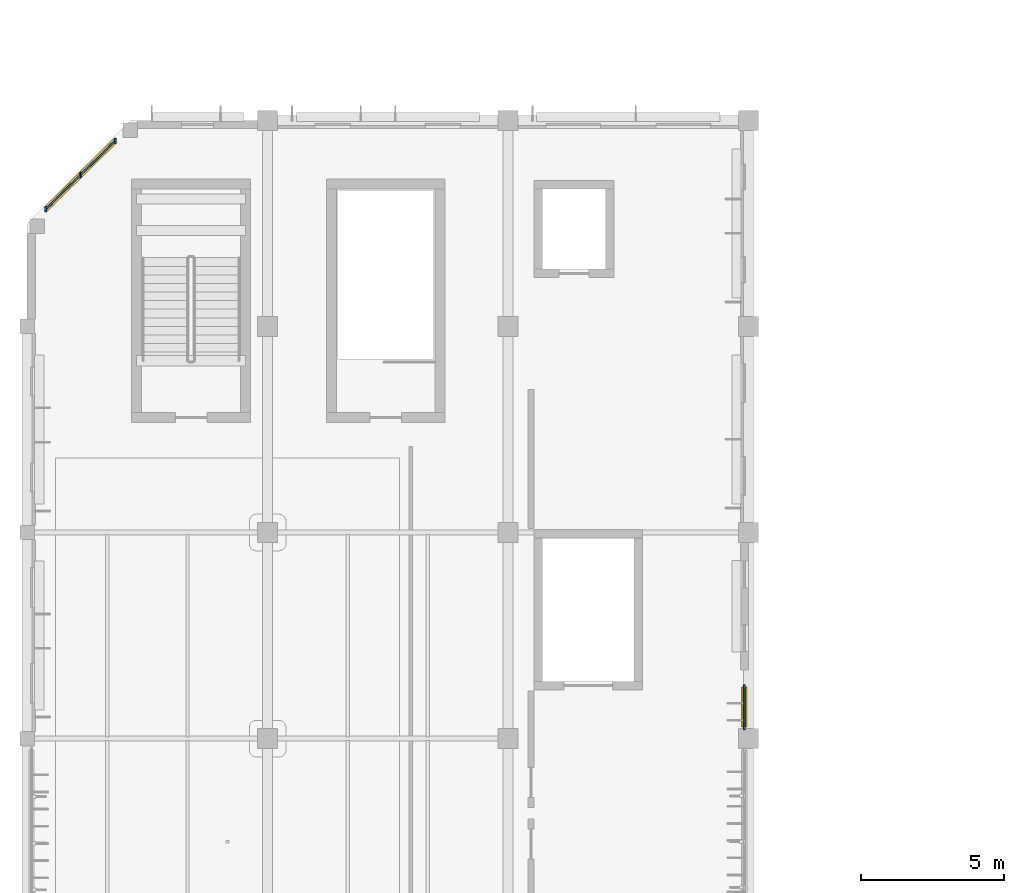
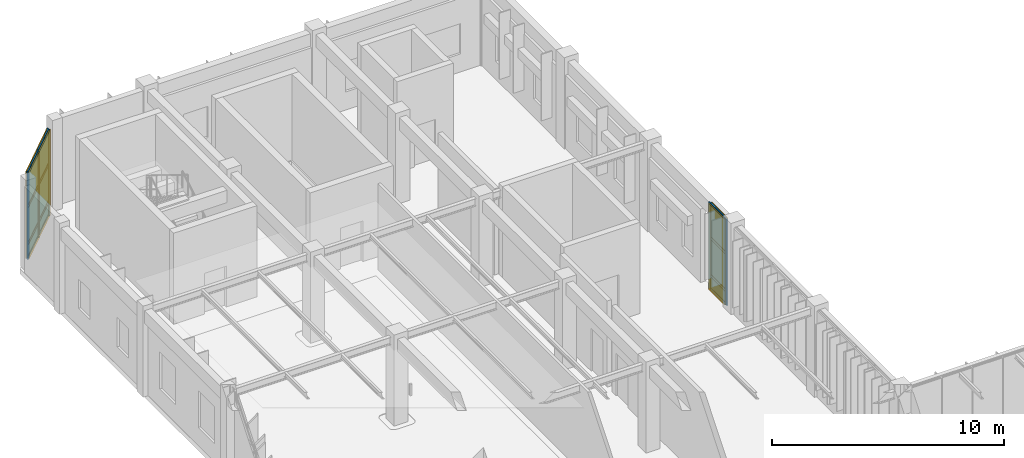
# One storey, part 94 of 122: 17 members, 9 plates, 2 curtain walls.
"""IFC4 building model written with IfcOpenShell, lengths in metres."""

from ifc_helpers import new_model, si_unit, direction, frame, frame_2d, origin, origin_2d, place, context, subcontext, project, spatial, rectangle, extrude, material, layer, layer_set, material_profile, profile_set, type_object, element, aggregate, save


model = new_model("IFC4")

# Units and contexts
model_context = context("Model", 3, precision=1e-05, world=origin(), true_north=direction((0.0, 1.0)))
body_context = subcontext(model_context, "Body", "Model", "MODEL_VIEW")
ifc_project = project(units=[si_unit("LENGTHUNIT", "METRE"), si_unit("AREAUNIT", "SQUARE_METRE"), si_unit("VOLUMEUNIT", "CUBIC_METRE"), si_unit("PLANEANGLEUNIT", "RADIAN"), si_unit("MASSUNIT", "GRAM", prefix="KILO")], contexts=[model_context])

# Member
ifc_material_1 = material(Name="Anodised Bronze Aluminium 6063-T6", Category="aluminium")
ifc_material_profile_1 = material_profile(ifc_material_1, rectangle(XDim=0.06005859375, YDim=0.179931640625, at=origin_2d()), Name="ALU MULLION 60x180")
ifc_profile_set_1 = profile_set([ifc_material_profile_1], Name="Anodised Bronze Aluminium 6063-T6")
member_type_1 = type_object("IfcMemberType", Name="Curtain-Wall Primary Mullion 60x180", PredefinedType="MULLION", material=ifc_profile_set_1)
site_placement = place(None, origin())
building_placement = place(site_placement, origin())
storey_placement = place(building_placement, origin())
member_1_placement = place(storey_placement, frame((5.474365234375, 87.080810546875, 0.0), z_axis=(0.0, 0.0, 1.0), x_axis=(1.0, 0.0, 0.0)))
member_1 = element("IfcMember", 1, at=member_1_placement, type_object=member_type_1, Name="Mullion CWM-01 CW-V6-NWCH-L00-M01", PredefinedType="MULLION", context=body_context, shape_type="SweptSolid", body=[
    extrude(rectangle(XDim=0.06005859375, YDim=0.179931640625, at=origin_2d()), origin(), (0.0, 0.0, 1.0), 4.5400390625),
])

member_2_placement = place(storey_placement, frame((4.26318359375, 85.888671875, 0.0), z_axis=(0.0, 0.0, 1.0), x_axis=(1.0, 0.0, 0.0)))
member_2 = element("IfcMember", 2, at=member_2_placement, type_object=member_type_1, Name="Mullion CWM-01 CW-V6-NWCH-L00-M02", PredefinedType="MULLION", context=body_context, shape_type="SweptSolid", body=[
    extrude(rectangle(XDim=0.06005859375, YDim=0.179931640625, at=origin_2d()), origin(), (0.0, 0.0, 1.0), 4.5400390625),
])

member_3_placement = place(storey_placement, frame((3.0517578125, 84.696533203125, 0.0), z_axis=(0.0, 0.0, 1.0), x_axis=(1.0, 0.0, 0.0)))
member_3 = element("IfcMember", 3, at=member_3_placement, type_object=member_type_1, Name="Mullion CWM-01 CW-V6-NWCH-L00-M03", PredefinedType="MULLION", context=body_context, shape_type="SweptSolid", body=[
    extrude(rectangle(XDim=0.06005859375, YDim=0.179931640625, at=origin_2d()), origin(), (0.0, 0.0, 1.0), 4.5400390625),
])

member_4_placement = place(storey_placement, frame((27.449951171875, 66.60009765625, 0.0), z_axis=(0.0, 0.0, 1.0), x_axis=(1.0, 0.0, 0.0)))
member_4 = element("IfcMember", 4, at=member_4_placement, type_object=member_type_1, Name="Mullion CWM-01 CW-V6-E1-L00-B3-M01", PredefinedType="MULLION", context=body_context, shape_type="SweptSolid", body=[
    extrude(rectangle(XDim=0.06005859375, YDim=0.179931640625, at=origin_2d()), origin(), (0.0, 0.0, 1.0), 4.5400390625),
])

member_5_placement = place(storey_placement, frame((27.449951171875, 68.0, 0.0), z_axis=(0.0, 0.0, 1.0), x_axis=(1.0, 0.0, 0.0)))
member_5 = element("IfcMember", 5, at=member_5_placement, type_object=member_type_1, Name="Mullion CWM-01 CW-V6-E1-L00-B3-M02", PredefinedType="MULLION", context=body_context, shape_type="SweptSolid", body=[
    extrude(rectangle(XDim=0.06005859375, YDim=0.179931640625, at=origin_2d()), origin(), (0.0, 0.0, 1.0), 4.5400390625),
])

ifc_material_profile_2 = material_profile(ifc_material_1, rectangle(XDim=0.06005859375, YDim=0.139892578125, at=origin_2d()), Name="ALU TRANSOM 60x140")
ifc_profile_set_2 = profile_set([ifc_material_profile_2], Name="Anodised Bronze Aluminium 6063-T6")
member_type_2 = type_object("IfcMemberType", Name="Curtain-Wall Transom 60x140", PredefinedType="USERDEFINED", material=ifc_profile_set_2)
member_6_placement = place(storey_placement, frame((5.449462890625, 87.05615234375, 0.0400390625), z_axis=(-0.71270278191, -0.701466139353, 0.0), x_axis=(0.701466139353, -0.71270278191, 0.0)))
member_6 = element("IfcMember", 6, at=member_6_placement, type_object=member_type_2, Name="Transom CWT-01 CW-V6-NWCH-L00-T01.1", ObjectType="TRANSOM", PredefinedType="USERDEFINED", context=body_context, shape_type="SweptSolid", body=[
    extrude(rectangle(XDim=0.06005859375, YDim=0.139892578125, at=origin_2d()), origin(), (0.0, 0.0, 1.0), 1.629638671875),
])

member_7_placement = place(storey_placement, frame((5.449462890625, 87.05615234375, 0.75), z_axis=(-0.71270278191, -0.701466139353, 0.0), x_axis=(0.701466139353, -0.71270278191, 0.0)))
member_7 = element("IfcMember", 7, at=member_7_placement, type_object=member_type_2, Name="Transom CWT-01 CW-V6-NWCH-L00-T01.2", ObjectType="TRANSOM", PredefinedType="USERDEFINED", context=body_context, shape_type="SweptSolid", body=[
    extrude(rectangle(XDim=0.06005859375, YDim=0.139892578125, at=origin_2d()), origin(), (0.0, 0.0, 1.0), 1.629638671875),
])

member_8_placement = place(storey_placement, frame((5.449462890625, 87.05615234375, 2.720703125), z_axis=(-0.71270278191, -0.701466139353, 0.0), x_axis=(0.701466139353, -0.71270278191, 0.0)))
member_8 = element("IfcMember", 8, at=member_8_placement, type_object=member_type_2, Name="Transom CWT-01 CW-V6-NWCH-L00-T01.3", ObjectType="TRANSOM", PredefinedType="USERDEFINED", context=body_context, shape_type="SweptSolid", body=[
    extrude(rectangle(XDim=0.06005859375, YDim=0.139892578125, at=origin_2d()), origin(), (0.0, 0.0, 1.0), 1.629638671875),
])

member_9_placement = place(storey_placement, frame((5.449462890625, 87.05615234375, 4.5), z_axis=(-0.71270278191, -0.701466139353, 0.0), x_axis=(0.701466139353, -0.71270278191, 0.0)))
member_9 = element("IfcMember", 9, at=member_9_placement, type_object=member_type_2, Name="Transom CWT-01 CW-V6-NWCH-L00-T01.4", ObjectType="TRANSOM", PredefinedType="USERDEFINED", context=body_context, shape_type="SweptSolid", body=[
    extrude(rectangle(XDim=0.06005859375, YDim=0.139892578125, at=origin_2d()), origin(), (0.0, 0.0, 1.0), 1.629638671875),
])

member_10_placement = place(storey_placement, frame((4.23828125, 85.864013671875, 0.0400390625), z_axis=(-0.712851387728, -0.70131512105, 0.0), x_axis=(0.70131512105, -0.712851387728, 0.0)))
member_10 = element("IfcMember", 10, at=member_10_placement, type_object=member_type_2, Name="Transom CWT-01 CW-V6-NWCH-L00-T02.1", ObjectType="TRANSOM", PredefinedType="USERDEFINED", context=body_context, shape_type="SweptSolid", body=[
    extrude(rectangle(XDim=0.06005859375, YDim=0.139892578125, at=origin_2d()), origin(), (0.0, 0.0, 1.0), 1.629638671875),
])

member_11_placement = place(storey_placement, frame((4.23828125, 85.864013671875, 0.75), z_axis=(-0.712851387728, -0.70131512105, 0.0), x_axis=(0.70131512105, -0.712851387728, 0.0)))
member_11 = element("IfcMember", 11, at=member_11_placement, type_object=member_type_2, Name="Transom CWT-01 CW-V6-NWCH-L00-T02.2", ObjectType="TRANSOM", PredefinedType="USERDEFINED", context=body_context, shape_type="SweptSolid", body=[
    extrude(rectangle(XDim=0.06005859375, YDim=0.139892578125, at=origin_2d()), origin(), (0.0, 0.0, 1.0), 1.629638671875),
])

member_12_placement = place(storey_placement, frame((4.23828125, 85.864013671875, 2.720703125), z_axis=(-0.712851387728, -0.70131512105, 0.0), x_axis=(0.70131512105, -0.712851387728, 0.0)))
member_12 = element("IfcMember", 12, at=member_12_placement, type_object=member_type_2, Name="Transom CWT-01 CW-V6-NWCH-L00-T02.3", ObjectType="TRANSOM", PredefinedType="USERDEFINED", context=body_context, shape_type="SweptSolid", body=[
    extrude(rectangle(XDim=0.06005859375, YDim=0.139892578125, at=origin_2d()), origin(), (0.0, 0.0, 1.0), 1.629638671875),
])

member_13_placement = place(storey_placement, frame((4.23828125, 85.864013671875, 4.5), z_axis=(-0.712851387728, -0.70131512105, 0.0), x_axis=(0.70131512105, -0.712851387728, 0.0)))
member_13 = element("IfcMember", 13, at=member_13_placement, type_object=member_type_2, Name="Transom CWT-01 CW-V6-NWCH-L00-T02.4", ObjectType="TRANSOM", PredefinedType="USERDEFINED", context=body_context, shape_type="SweptSolid", body=[
    extrude(rectangle(XDim=0.06005859375, YDim=0.139892578125, at=origin_2d()), origin(), (0.0, 0.0, 1.0), 1.629638671875),
])

member_14_placement = place(storey_placement, frame((27.449951171875, 66.635009765625, 0.0400390625), z_axis=(0.0, 1.0, 0.0), x_axis=(-1.0, 0.0, 0.0)))
member_14 = element("IfcMember", 14, at=member_14_placement, type_object=member_type_2, Name="Transom CWT-01 CW-V6-E1-L00-B3-T01.1", ObjectType="TRANSOM", PredefinedType="USERDEFINED", context=body_context, shape_type="SweptSolid", body=[
    extrude(rectangle(XDim=0.06005859375, YDim=0.139892578125, at=origin_2d()), origin(), (0.0, 0.0, 1.0), 1.330078125),
])

member_15_placement = place(storey_placement, frame((27.449951171875, 66.635009765625, 0.75), z_axis=(0.0, 1.0, 0.0), x_axis=(-1.0, 0.0, 0.0)))
member_15 = element("IfcMember", 15, at=member_15_placement, type_object=member_type_2, Name="Transom CWT-01 CW-V6-E1-L00-B3-T01.2", ObjectType="TRANSOM", PredefinedType="USERDEFINED", context=body_context, shape_type="SweptSolid", body=[
    extrude(rectangle(XDim=0.06005859375, YDim=0.139892578125, at=origin_2d()), origin(), (0.0, 0.0, 1.0), 1.330078125),
])

member_16_placement = place(storey_placement, frame((27.449951171875, 66.635009765625, 2.720703125), z_axis=(0.0, 1.0, 0.0), x_axis=(-1.0, 0.0, 0.0)))
member_16 = element("IfcMember", 16, at=member_16_placement, type_object=member_type_2, Name="Transom CWT-01 CW-V6-E1-L00-B3-T01.3", ObjectType="TRANSOM", PredefinedType="USERDEFINED", context=body_context, shape_type="SweptSolid", body=[
    extrude(rectangle(XDim=0.06005859375, YDim=0.139892578125, at=origin_2d()), origin(), (0.0, 0.0, 1.0), 1.330078125),
])

member_17_placement = place(storey_placement, frame((27.449951171875, 66.635009765625, 4.5), z_axis=(0.0, 1.0, 0.0), x_axis=(-1.0, 0.0, 0.0)))
member_17 = element("IfcMember", 17, at=member_17_placement, type_object=member_type_2, Name="Transom CWT-01 CW-V6-E1-L00-B3-T01.4", ObjectType="TRANSOM", PredefinedType="USERDEFINED", context=body_context, shape_type="SweptSolid", body=[
    extrude(rectangle(XDim=0.06005859375, YDim=0.139892578125, at=origin_2d()), origin(), (0.0, 0.0, 1.0), 1.330078125),
])

# Plate
ifc_material_2 = material(Name="Insulated Bronze Aluminium Spandrel Panel", Category="aluminium")
ifc_layer_1 = layer(ifc_material_2, 0.050048828125, Name="Insulated Bronze Aluminium Spandrel Panel")
ifc_layer_set_1 = layer_set([ifc_layer_1], Name="Insulated Bronze Aluminium Spandrel Panel")
plate_type_1 = type_object("IfcPlateType", Name="Insulated Anodised Aluminium Spandrel Cassette 50", PredefinedType="CURTAIN_PANEL", material=ifc_layer_set_1)
plate_1_placement = place(storey_placement, frame((4.868896484375, 86.484619140625, 0.070068359375), z_axis=(0.0, 0.0, 1.0), x_axis=(-0.712718100555, -0.701450574981, 0.0)))
plate_1 = element("IfcPlate", 18, at=plate_1_placement, type_object=plate_type_1, Name="Curtain Panel CWP-03 CW-V6-NWCH-L00-P01.1", PredefinedType="CURTAIN_PANEL", context=body_context, shape_type="SweptSolid", body=[
    extrude(rectangle(XDim=1.62939453125, YDim=0.050048828125, at=origin_2d()), origin(), (0.0, 0.0, 1.0), 0.64990234375),
])

plate_2_placement = place(storey_placement, frame((3.657470703125, 85.29248046875, 0.070068359375), z_axis=(0.0, 0.0, 1.0), x_axis=(-0.712718100555, -0.701450574981, 0.0)))
plate_2 = element("IfcPlate", 19, at=plate_2_placement, type_object=plate_type_1, Name="Curtain Panel CWP-03 CW-V6-NWCH-L00-P02.1", PredefinedType="CURTAIN_PANEL", context=body_context, shape_type="SweptSolid", body=[
    extrude(rectangle(XDim=1.62939453125, YDim=0.050048828125, at=origin_2d()), origin(), (0.0, 0.0, 1.0), 0.64990234375),
])

plate_3_placement = place(storey_placement, frame((27.449951171875, 67.300048828125, 0.070068359375), z_axis=(0.0, 0.0, 1.0), x_axis=(0.0, 1.0, 0.0)))
plate_3 = element("IfcPlate", 20, at=plate_3_placement, type_object=plate_type_1, Name="Curtain Panel CWP-03 CW-V6-E1-L00-B3-P01.1", PredefinedType="CURTAIN_PANEL", context=body_context, shape_type="SweptSolid", body=[
    extrude(rectangle(XDim=1.330078125, YDim=0.050048828125, at=origin_2d()), origin(), (0.0, 0.0, 1.0), 0.64990234375),
])

ifc_material_3 = material(Name="Solar-Control Tempered Double Glazing", Category="glass")
ifc_layer_2 = layer(ifc_material_3, 0.0380859375, Name="Solar-Control Tempered Double Glazing")
ifc_layer_set_2 = layer_set([ifc_layer_2], Name="Solar-Control Tempered Double Glazing")
plate_type_2 = type_object("IfcPlateType", Name="Solar-Control Vision Glazing Unit 38", PredefinedType="CURTAIN_PANEL", material=ifc_layer_set_2)
plate_4_placement = place(storey_placement, frame((4.868896484375, 86.484619140625, 0.77978515625), z_axis=(0.0, 0.0, 1.0), x_axis=(-0.712718100555, -0.701450574981, 0.0)))
plate_4 = element("IfcPlate", 21, at=plate_4_placement, type_object=plate_type_2, Name="Curtain Panel CWP-02 CW-V6-NWCH-L00-P01.2", PredefinedType="CURTAIN_PANEL", context=body_context, shape_type="SweptSolid", body=[
    extrude(rectangle(XDim=1.62939453125, YDim=0.0380859375, at=origin_2d()), origin(), (0.0, 0.0, 1.0), 1.910888671875),
])

plate_5_placement = place(storey_placement, frame((4.868896484375, 86.484619140625, 2.750732421875), z_axis=(0.0, 0.0, 1.0), x_axis=(-0.712718100555, -0.701450574981, 0.0)))
plate_5 = element("IfcPlate", 22, at=plate_5_placement, type_object=plate_type_2, Name="Curtain Panel CWP-02 CW-V6-NWCH-L00-P01.3", PredefinedType="CURTAIN_PANEL", context=body_context, shape_type="SweptSolid", body=[
    extrude(rectangle(XDim=1.62939453125, YDim=0.0380859375, at=origin_2d()), origin(), (0.0, 0.0, 1.0), 1.71923828125),
])

plate_6_placement = place(storey_placement, frame((3.657470703125, 85.29248046875, 0.77978515625), z_axis=(0.0, 0.0, 1.0), x_axis=(-0.712718100555, -0.701450574981, 0.0)))
plate_6 = element("IfcPlate", 23, at=plate_6_placement, type_object=plate_type_2, Name="Curtain Panel CWP-02 CW-V6-NWCH-L00-P02.2", PredefinedType="CURTAIN_PANEL", context=body_context, shape_type="SweptSolid", body=[
    extrude(rectangle(XDim=1.62939453125, YDim=0.0380859375, at=origin_2d()), origin(), (0.0, 0.0, 1.0), 1.910888671875),
])

plate_7_placement = place(storey_placement, frame((3.657470703125, 85.29248046875, 2.750732421875), z_axis=(0.0, 0.0, 1.0), x_axis=(-0.712718100555, -0.701450574981, 0.0)))
plate_7 = element("IfcPlate", 24, at=plate_7_placement, type_object=plate_type_2, Name="Curtain Panel CWP-02 CW-V6-NWCH-L00-P02.3", PredefinedType="CURTAIN_PANEL", context=body_context, shape_type="SweptSolid", body=[
    extrude(rectangle(XDim=1.62939453125, YDim=0.0380859375, at=origin_2d()), origin(), (0.0, 0.0, 1.0), 1.71923828125),
])

plate_8_placement = place(storey_placement, frame((27.449951171875, 67.300048828125, 0.77978515625), z_axis=(0.0, 0.0, 1.0), x_axis=(0.0, 1.0, 0.0)))
plate_8 = element("IfcPlate", 25, at=plate_8_placement, type_object=plate_type_2, Name="Curtain Panel CWP-02 CW-V6-E1-L00-B3-P01.2", PredefinedType="CURTAIN_PANEL", context=body_context, shape_type="SweptSolid", body=[
    extrude(rectangle(XDim=1.330078125, YDim=0.0380859375, at=origin_2d()), origin(), (0.0, 0.0, 1.0), 1.910888671875),
])

plate_9_placement = place(storey_placement, frame((27.449951171875, 67.300048828125, 2.750732421875), z_axis=(0.0, 0.0, 1.0), x_axis=(0.0, 1.0, 0.0)))
plate_9 = element("IfcPlate", 26, at=plate_9_placement, type_object=plate_type_2, Name="Curtain Panel CWP-02 CW-V6-E1-L00-B3-P01.3", PredefinedType="CURTAIN_PANEL", context=body_context, shape_type="SweptSolid", body=[
    extrude(rectangle(XDim=1.330078125, YDim=0.0380859375, at=origin_2d()), origin(), (0.0, 0.0, 1.0), 1.71923828125),
])

# Site, building, storey
site = spatial("IfcSite", under=ifc_project, at=site_placement, CompositionType="ELEMENT")
building = spatial("IfcBuilding", under=site, at=building_placement, Name="Tazoul Stagehouse", CompositionType="ELEMENT")
storey = spatial("IfcBuildingStorey", under=building, at=storey_placement, Name="L00", CompositionType="ELEMENT", Elevation=0.0)

# Curtain wall
curtain_wall_type_1 = type_object("IfcCurtainWallType", Name="Crescent Double-Skin Acoustic Curtain Wall", PredefinedType="NOTDEFINED", material=ifc_material_1)
curtain_wall_1_placement = place(storey_placement, frame((5.474365234375, 87.080810546875, 0.0), z_axis=(0.0, 0.0, 1.0), x_axis=(-0.712722588839, -0.701446014572, 0.0)))
curtain_wall_1 = element("IfcCurtainWall", 27, at=curtain_wall_1_placement, inside=storey, type_object=curtain_wall_type_1, Name="L00 Curtain Wall CW-01 (CW-V6-NWCH-L00)", PredefinedType="NOTDEFINED", context=body_context, shape_type="SweptSolid", body=[
    extrude(rectangle(XDim=3.399169921875, YDim=0.179931640625, at=frame_2d((1.69970703125, 0.0))), origin(), (0.0, 0.0, 1.0), 4.5400390625),
])

aggregate(curtain_wall_1, [member_1, member_2, member_3, member_6, member_7, member_8, member_9, plate_1, plate_4, plate_5, member_10, member_11, member_12, member_13, plate_2, plate_6, plate_7])

curtain_wall_type_2 = type_object("IfcCurtainWallType", Name="Foyer Clear Solar-Control Curtain Wall", PredefinedType="NOTDEFINED", material=ifc_material_1)
curtain_wall_2_placement = place(storey_placement, frame((27.449951171875, 66.60009765625, 0.0), z_axis=(0.0, 0.0, 1.0), x_axis=(0.0, 1.0, 0.0)))
curtain_wall_2 = element("IfcCurtainWall", 28, at=curtain_wall_2_placement, inside=storey, type_object=curtain_wall_type_2, Name="L00 Curtain Wall CW-02 (CW-V6-E1-L00-B3)", PredefinedType="NOTDEFINED", context=body_context, shape_type="SweptSolid", body=[
    extrude(rectangle(XDim=1.39990234375, YDim=0.179931640625, at=frame_2d((0.699951171875, 0.0))), origin(), (0.0, 0.0, 1.0), 4.5400390625),
])

aggregate(curtain_wall_2, [member_4, member_5, member_14, member_15, member_16, member_17, plate_3, plate_8, plate_9])

save(model, "model.ifc")
